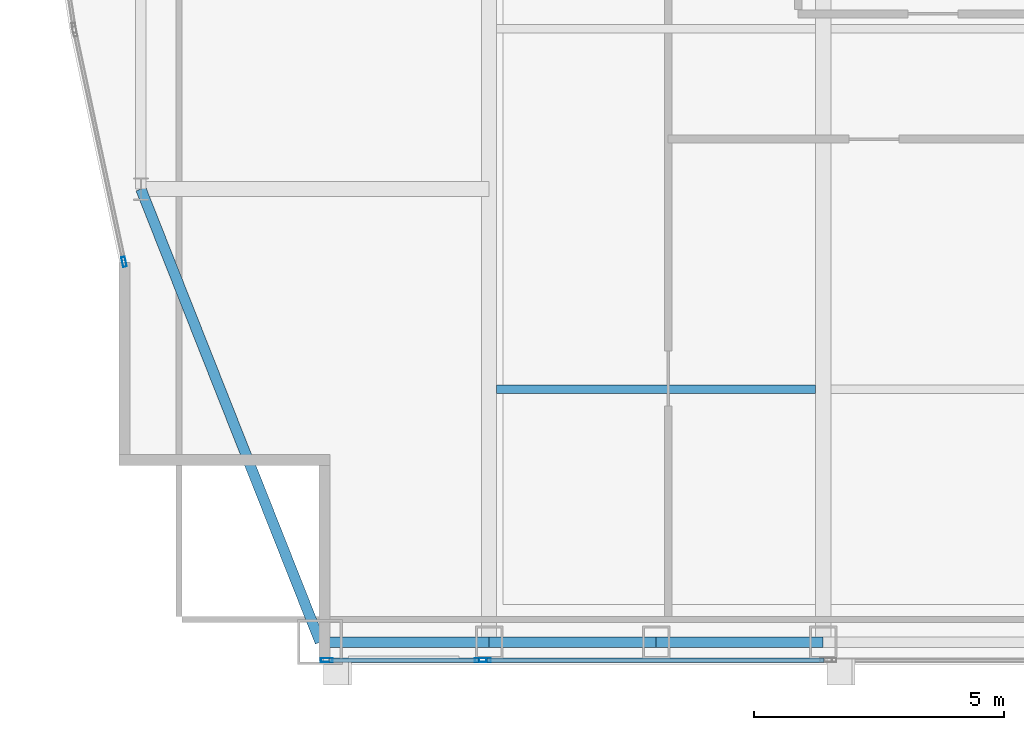
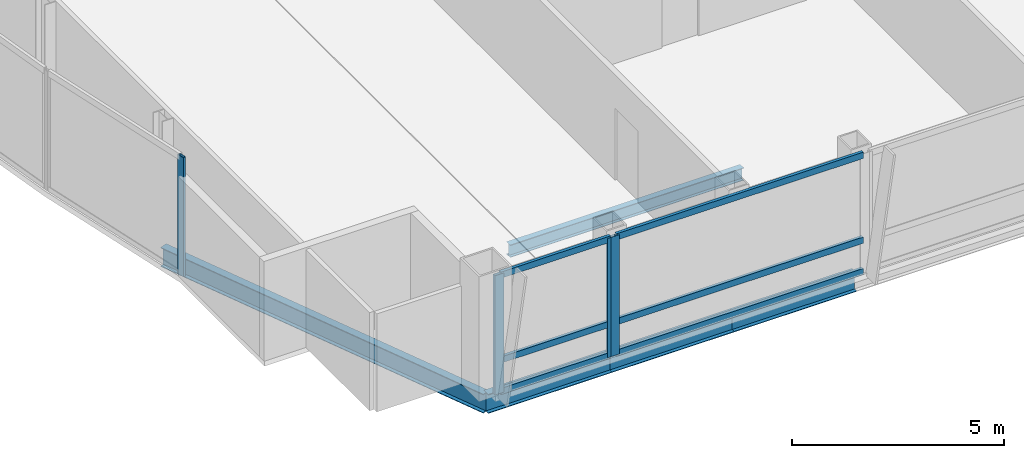
# One storey, part 4 of 29: 10 members, 5 beams, 3 elements without a shape of their own.
"""IFC4 building model written with IfcOpenShell, lengths in metres."""

from ifc_helpers import new_model, si_unit, direction, frame, origin, origin_2d, place, context, subcontext, project, spatial, hollow_rectangle, i_section, extrude, material, material_profile, profile_set, type_object, element, aggregate, save


model = new_model("IFC4")

# Units and contexts
model_context = context("Model", 3, precision=1e-05, world=origin(), true_north=direction((0.0, 1.0)))
body_context = subcontext(model_context, "Body", "Model", "MODEL_VIEW")
ifc_project = project(units=[si_unit("LENGTHUNIT", "METRE"), si_unit("AREAUNIT", "SQUARE_METRE"), si_unit("VOLUMEUNIT", "CUBIC_METRE"), si_unit("PLANEANGLEUNIT", "RADIAN"), si_unit("MASSUNIT", "GRAM", prefix="KILO")], contexts=[model_context])

# Site, building, storey
site_placement = place(None, origin())
site = spatial("IfcSite", under=ifc_project, at=site_placement, CompositionType="ELEMENT")
building_placement = place(site_placement, origin())
building = spatial("IfcBuilding", under=site, at=building_placement, Name="Khoronbel Lancet Exchange", CompositionType="ELEMENT")
storey_placement = place(building_placement, frame((0.0, 0.0, 329.0)))
storey = spatial("IfcBuildingStorey", under=building, at=storey_placement, Name="L85", CompositionType="ELEMENT", Elevation=329.0)

# Beams
ifc_material_1 = material(Name="Steel S355", Category="steel")
ifc_material_profile_1 = material_profile(ifc_material_1, i_section(OverallWidth=0.169921875, OverallDepth=0.360107421875, WebThickness=0.008056640625, FlangeThickness=0.0126953125, at=origin_2d()), Name="IPE 360")
ifc_profile_set_1 = profile_set([ifc_material_profile_1], Name="Steel S355")
beam_type_1 = type_object("IfcBeamType", Name="BM-BJ6", PredefinedType="JOIST", material=ifc_profile_set_1)
beam_1_placement = place(storey_placement, frame((18.375, 15.199951171875, -0.340087890625), z_axis=(1.0, 0.0, 0.0), x_axis=(0.0, 1.0, 0.0)))
element("IfcBeam", 1, at=beam_1_placement, inside=storey, type_object=beam_type_1, Name="Level L85 secondary composite joist J01", PredefinedType="JOIST", context=body_context, shape_type="SweptSolid", body=[
    extrude(i_section(OverallWidth=0.169921875, OverallDepth=0.360107421875, WebThickness=0.008056640625, FlangeThickness=0.0126953125, at=origin_2d()), origin(), (0.0, 0.0, 1.0), 6.375),
])
ifc_material_profile_2 = material_profile(ifc_material_1, i_section(OverallWidth=0.2099609375, OverallDepth=0.550048828125, WebThickness=0.010986328125, FlangeThickness=0.01708984375, at=origin_2d()), Name="IPE 550")
ifc_profile_set_2 = profile_set([ifc_material_profile_2], Name="Steel S355")
beam_type_2 = type_object("IfcBeamType", Name="BM-BSP3", PredefinedType="SPANDREL", material=ifc_profile_set_2)
beam_2_placement = place(storey_placement, frame((14.85009765625, 10.14990234375, -0.43505859375), z_axis=(1.0, 0.0, 0.0), x_axis=(0.0, 1.0, 0.0)))
element("IfcBeam", 2, at=beam_2_placement, inside=storey, type_object=beam_type_2, Name="Level L85 perimeter spandrel beam SP01", PredefinedType="SPANDREL", context=body_context, shape_type="SweptSolid", body=[
    extrude(i_section(OverallWidth=0.2099609375, OverallDepth=0.550048828125, WebThickness=0.010986328125, FlangeThickness=0.01708984375, at=origin_2d()), origin(), (0.0, 0.0, 1.0), 3.375),
])
for number, where, z_axis, x_axis, name in (
    (3, (18.22509765625, 10.14990234375, -0.43505859375), (1.0, 0.0, 0.0), (0.0, 1.0, 0.0), "Level L85 perimeter spandrel beam SP02"),
    (4, (21.5625, 10.14990234375, -0.43505859375), (1.0, 0.0, 0.0), (0.0, 1.0, 0.0), "Level L85 perimeter spandrel beam SP03"),
):
    element("IfcBeam", number, at=place(storey_placement, frame(where, z_axis=z_axis, x_axis=x_axis)), inside=storey, type_object=beam_type_2, Name=name, PredefinedType="SPANDREL", context=body_context, shape_type="SweptSolid", body=[
        extrude(i_section(OverallWidth=0.2099609375, OverallDepth=0.550048828125, WebThickness=0.010986328125, FlangeThickness=0.01708984375, at=origin_2d()), origin(), (0.0, 0.0, 1.0), 3.33740234375),
    ])
beam_3_placement = place(storey_placement, frame((11.27001953125, 19.199951171875, -0.43505859375), z_axis=(0.367850095026, -0.92988510451, 0.0), x_axis=(0.92988510451, 0.367850095026, 0.0)))
element("IfcBeam", 5, at=beam_3_placement, inside=storey, type_object=beam_type_2, Name="Level L85 perimeter spandrel beam SP19", PredefinedType="SPANDREL", context=body_context, shape_type="SweptSolid", body=[
    extrude(i_section(OverallWidth=0.2099609375, OverallDepth=0.550048828125, WebThickness=0.010986328125, FlangeThickness=0.01708984375, at=origin_2d()), origin(), (0.0, 0.0, 1.0), 9.732421875),
])

# Curtain wall, members
ifc_material_2 = material(Name="Low-E Solar Control Insulating Glass", Category="glass")
curtain_wall_type_1 = type_object("IfcCurtainWallType", Name="CW-3", PredefinedType="NOTDEFINED", material=ifc_material_2)
curtain_wall_1_placement = place(storey_placement, origin())
curtain_wall_1 = element("IfcCurtainWall", 6, at=curtain_wall_1_placement, inside=storey, type_object=curtain_wall_type_1, Name="Unitised curtain wall CW-L85-SWV", PredefinedType="NOTDEFINED")
ifc_material_3 = material(Name="Bronze-Anodised Aluminium 6063-T6", Category="aluminium")
ifc_material_profile_3 = material_profile(ifc_material_3, hollow_rectangle(XDim=0.0849609375, YDim=0.239990234375, WallThickness=0.006103515625, at=origin_2d()), Name="ALU MULLION 85x240")
ifc_profile_set_3 = profile_set([ifc_material_profile_3], Name="Bronze-Anodised Aluminium 6063-T6")
member_type_1 = type_object("IfcMemberType", Name="MEM-CWM1", PredefinedType="MULLION", material=ifc_profile_set_3)
member_1_placement = place(storey_placement, frame((14.982421875, 9.7900390625, 0.0), z_axis=(0.0, 0.0, 1.0), x_axis=(0.0, 1.0, 0.0)))
member_1 = element("IfcMember", 7, at=member_1_placement, type_object=member_type_1, Name="CW3 mullion 1", PredefinedType="MULLION", context=body_context, shape_type="SweptSolid", body=[
    extrude(hollow_rectangle(XDim=0.0849609375, YDim=0.239990234375, WallThickness=0.006103515625, at=origin_2d()), origin(), (0.0, 0.0, 1.0), 3.43994140625),
])
member_2_placement = place(storey_placement, frame((18.0576171875, 9.7900390625, 0.0), z_axis=(0.0, 0.0, 1.0), x_axis=(0.0, 1.0, 0.0)))
member_2 = element("IfcMember", 8, at=member_2_placement, type_object=member_type_1, Name="CW3 mullion 2", PredefinedType="MULLION", context=body_context, shape_type="SweptSolid", body=[
    extrude(hollow_rectangle(XDim=0.0849609375, YDim=0.239990234375, WallThickness=0.006103515625, at=origin_2d()), origin(), (0.0, 0.0, 1.0), 3.43994140625),
])

# Curtain wall, member
curtain_wall_2_placement = place(storey_placement, origin())
curtain_wall_2 = element("IfcCurtainWall", 9, at=curtain_wall_2_placement, inside=storey, type_object=curtain_wall_type_1, Name="Unitised curtain wall CW-L85-SWB", PredefinedType="NOTDEFINED")
member_3_placement = place(storey_placement, frame((18.142578125, 9.7900390625, 0.0), z_axis=(0.0, 0.0, 1.0), x_axis=(0.0, 1.0, 0.0)))
member_3 = element("IfcMember", 10, at=member_3_placement, type_object=member_type_1, Name="CW3 mullion 1", PredefinedType="MULLION", context=body_context, shape_type="SweptSolid", body=[
    extrude(hollow_rectangle(XDim=0.0849609375, YDim=0.239990234375, WallThickness=0.006103515625, at=origin_2d()), origin(), (0.0, 0.0, 1.0), 3.43994140625),
])

curtain_wall_type_2 = type_object("IfcCurtainWallType", Name="CW-4", PredefinedType="NOTDEFINED", material=ifc_material_2)
curtain_wall_3_placement = place(storey_placement, origin())
curtain_wall_3 = element("IfcCurtainWall", 11, at=curtain_wall_3_placement, inside=storey, type_object=curtain_wall_type_2, Name="Unitised curtain wall CW-L85-E04", PredefinedType="NOTDEFINED")
ifc_material_profile_4 = material_profile(ifc_material_3, hollow_rectangle(XDim=0.074951171875, YDim=0.199951171875, WallThickness=0.0048828125, at=origin_2d()), Name="ALU MULLION 75x200")
ifc_profile_set_4 = profile_set([ifc_material_profile_4], Name="Bronze-Anodised Aluminium 6063-T6")
member_type_2 = type_object("IfcMemberType", Name="MEM-CWM2", PredefinedType="MULLION", material=ifc_profile_set_4)
member_4_placement = place(storey_placement, frame((10.93212890625, 17.74609375, 0.0), z_axis=(0.0, 0.0, 1.0), x_axis=(-0.977891735749, -0.209111819739, 0.0)))
member_4 = element("IfcMember", 12, at=member_4_placement, type_object=member_type_2, Name="CW4 mullion 1", PredefinedType="MULLION", context=body_context, shape_type="SweptSolid", body=[
    extrude(hollow_rectangle(XDim=0.074951171875, YDim=0.199951171875, WallThickness=0.0048828125, at=origin_2d()), origin(), (0.0, 0.0, 1.0), 3.43994140625),
])
aggregate(curtain_wall_3, [member_4])

# Member
ifc_material_profile_5 = material_profile(ifc_material_3, hollow_rectangle(XDim=0.0849609375, YDim=0.179931640625, WallThickness=0.0048828125, at=origin_2d()), Name="ALU TRANSOM 85x180")
ifc_profile_set_5 = profile_set([ifc_material_profile_5], Name="Bronze-Anodised Aluminium 6063-T6")
member_type_3 = type_object("IfcMemberType", Name="MEM-CWT1", PredefinedType="USERDEFINED", material=ifc_profile_set_5)
member_5_placement = place(storey_placement, frame((15.02490234375, 9.7900390625, 0.04248046875), z_axis=(1.0, 0.0, 0.0), x_axis=(0.0, 1.0, 0.0)))
member_5 = element("IfcMember", 13, at=member_5_placement, type_object=member_type_3, Name="CW3 transom 1.1", ObjectType="TRANSOM", PredefinedType="USERDEFINED", context=body_context, shape_type="SweptSolid", body=[
    extrude(hollow_rectangle(XDim=0.0849609375, YDim=0.179931640625, WallThickness=0.0048828125, at=origin_2d()), origin(), (0.0, 0.0, 1.0), 2.989990234375),
])

member_6_placement = place(storey_placement, frame((15.02490234375, 9.7900390625, 0.949951171875), z_axis=(1.0, 0.0, 0.0), x_axis=(0.0, 1.0, 0.0)))
member_6 = element("IfcMember", 14, at=member_6_placement, type_object=member_type_3, Name="CW3 transom 1.2", ObjectType="TRANSOM", PredefinedType="USERDEFINED", context=body_context, shape_type="SweptSolid", body=[
    extrude(hollow_rectangle(XDim=0.0849609375, YDim=0.179931640625, WallThickness=0.0048828125, at=origin_2d()), origin(), (0.0, 0.0, 1.0), 2.989990234375),
])

member_7_placement = place(storey_placement, frame((15.02490234375, 9.7900390625, 3.3974609375), z_axis=(1.0, 0.0, 0.0), x_axis=(0.0, 1.0, 0.0)))
member_7 = element("IfcMember", 15, at=member_7_placement, type_object=member_type_3, Name="CW3 transom 1.3", ObjectType="TRANSOM", PredefinedType="USERDEFINED", context=body_context, shape_type="SweptSolid", body=[
    extrude(hollow_rectangle(XDim=0.0849609375, YDim=0.179931640625, WallThickness=0.0048828125, at=origin_2d()), origin(), (0.0, 0.0, 1.0), 2.989990234375),
])

aggregate(curtain_wall_1, [member_1, member_2, member_5, member_6, member_7])

member_8_placement = place(storey_placement, frame((18.18505859375, 9.7900390625, 0.04248046875), z_axis=(1.0, 0.0, 0.0), x_axis=(0.0, 1.0, 0.0)))
member_8 = element("IfcMember", 16, at=member_8_placement, type_object=member_type_3, Name="CW3 transom 1.1", ObjectType="TRANSOM", PredefinedType="USERDEFINED", context=body_context, shape_type="SweptSolid", body=[
    extrude(hollow_rectangle(XDim=0.0849609375, YDim=0.179931640625, WallThickness=0.0048828125, at=origin_2d()), origin(), (0.0, 0.0, 1.0), 6.72998046875),
])

member_9_placement = place(storey_placement, frame((18.18505859375, 9.7900390625, 0.949951171875), z_axis=(1.0, 0.0, 0.0), x_axis=(0.0, 1.0, 0.0)))
member_9 = element("IfcMember", 17, at=member_9_placement, type_object=member_type_3, Name="CW3 transom 1.2", ObjectType="TRANSOM", PredefinedType="USERDEFINED", context=body_context, shape_type="SweptSolid", body=[
    extrude(hollow_rectangle(XDim=0.0849609375, YDim=0.179931640625, WallThickness=0.0048828125, at=origin_2d()), origin(), (0.0, 0.0, 1.0), 6.72998046875),
])

member_10_placement = place(storey_placement, frame((18.18505859375, 9.7900390625, 3.3974609375), z_axis=(1.0, 0.0, 0.0), x_axis=(0.0, 1.0, 0.0)))
member_10 = element("IfcMember", 18, at=member_10_placement, type_object=member_type_3, Name="CW3 transom 1.3", ObjectType="TRANSOM", PredefinedType="USERDEFINED", context=body_context, shape_type="SweptSolid", body=[
    extrude(hollow_rectangle(XDim=0.0849609375, YDim=0.179931640625, WallThickness=0.0048828125, at=origin_2d()), origin(), (0.0, 0.0, 1.0), 6.72998046875),
])

aggregate(curtain_wall_2, [member_3, member_8, member_9, member_10])

save(model, "model.ifc")
